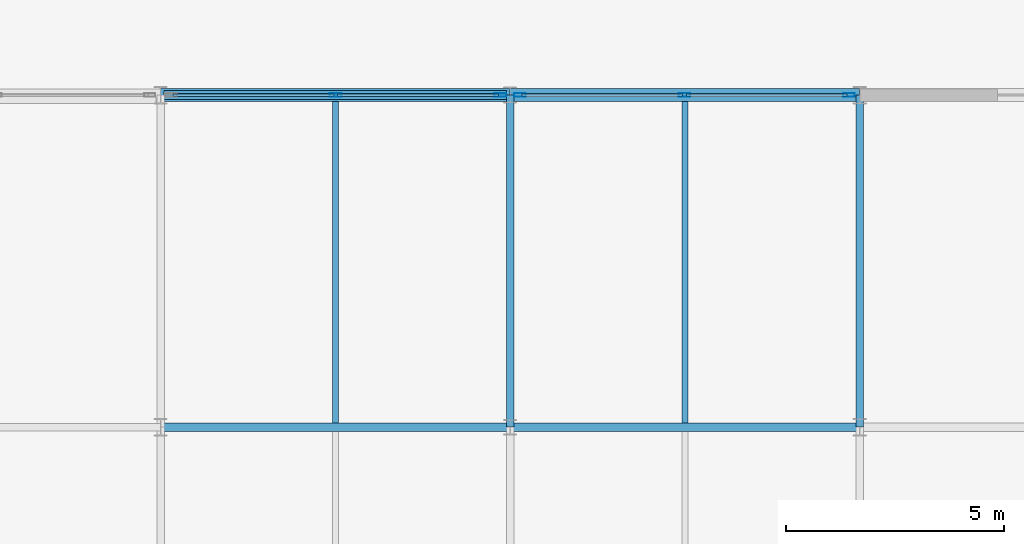
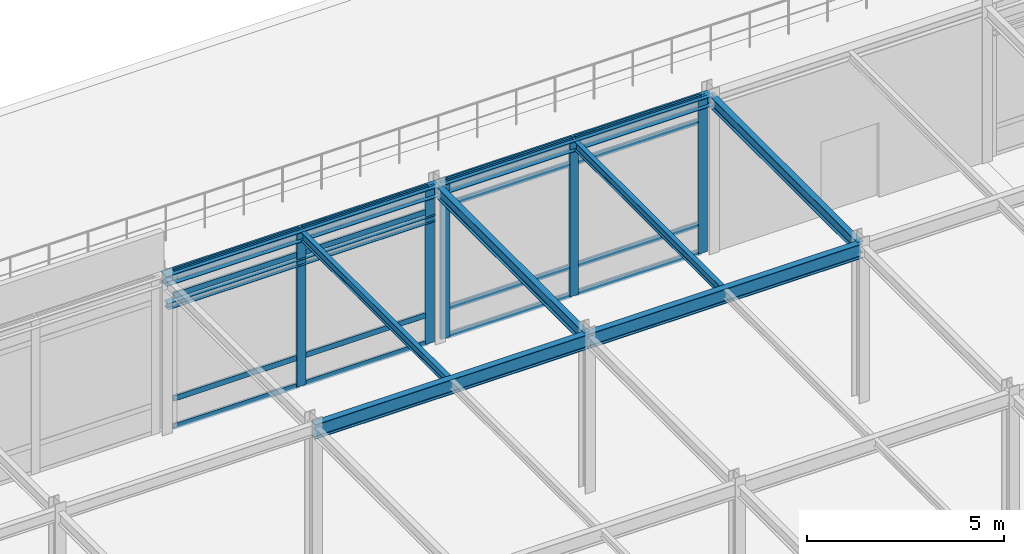
# One storey, part 39 of 79: 21 members, 9 beams, 2 elements without a shape of their own.
"""IFC4 building model written with IfcOpenShell, lengths in metres."""

from ifc_helpers import new_model, si_unit, direction, frame, origin, origin_2d, place, context, subcontext, project, spatial, hollow_rectangle, i_section, extrude, material, layer, layer_set, material_profile, profile_set, type_object, element, aggregate, save


model = new_model("IFC4")

# Units and contexts
model_context = context("Model", 3, precision=1e-05, world=origin(), true_north=direction((0.0, 1.0)))
body_context = subcontext(model_context, "Body", "Model", "MODEL_VIEW")
ifc_project = project(units=[si_unit("LENGTHUNIT", "METRE"), si_unit("AREAUNIT", "SQUARE_METRE"), si_unit("VOLUMEUNIT", "CUBIC_METRE"), si_unit("PLANEANGLEUNIT", "RADIAN"), si_unit("MASSUNIT", "GRAM", prefix="KILO")], contexts=[model_context])

# Site, building, storey
site_placement = place(None, origin())
site = spatial("IfcSite", under=ifc_project, at=site_placement, CompositionType="ELEMENT")
building_placement = place(site_placement, origin())
building = spatial("IfcBuilding", under=site, at=building_placement, Name="Shalkamar Park Central Library", CompositionType="ELEMENT")
storey_placement = place(building_placement, frame((0.0, 0.0, 10.5)))
storey = spatial("IfcBuildingStorey", under=building, at=storey_placement, Name="L03", CompositionType="ELEMENT", Elevation=10.5)

# Beams
ifc_material_1 = material(Name="Steel S355", Category="steel")
ifc_material_profile_1 = material_profile(ifc_material_1, i_section(OverallWidth=0.135009765625, OverallDepth=0.27001953125, WebThickness=0.006591796875, FlangeThickness=0.01025390625, FilletRadius=0.014892578125, at=origin_2d()), Name="IPE 270")
ifc_profile_set_1 = profile_set([ifc_material_profile_1], Name="Steel S355")
beam_type_1 = type_object("IfcBeamType", Name="Composite Floor Joist IPE270", PredefinedType="JOIST", material=ifc_profile_set_1)
for number, where, z_axis, x_axis, name in (
    (1, (169.0, 316.093017578125, 4.705078125), (0.0, 1.0, 0.0), (-1.0, 0.0, 0.0), "Composite Joist 07/L-1 (L03)"),
    (2, (177.0, 316.093017578125, 4.705078125), (0.0, 1.0, 0.0), (-1.0, 0.0, 0.0), "Composite Joist 08/L-1 (L03)"),
):
    element("IfcBeam", number, at=place(storey_placement, frame(where, z_axis=z_axis, x_axis=x_axis)), inside=storey, type_object=beam_type_1, Name=name, PredefinedType="JOIST", context=body_context, shape_type="SweptSolid", body=[
        extrude(i_section(OverallWidth=0.135009765625, OverallDepth=0.27001953125, WebThickness=0.006591796875, FlangeThickness=0.01025390625, FilletRadius=0.014892578125, at=origin_2d()), origin(), (0.0, 0.0, 1.0), 7.35888671875),
    ])

# Curtain wall, members
ifc_material_2 = material(Name="Thermally broken aluminium and triple low-e curtain wall", Category="aluminium")
ifc_layer_1 = layer(ifc_material_2, 0.27001953125)
ifc_layer_set_1 = layer_set([ifc_layer_1], Name="UnitisedCurtainWall_42")
curtain_wall_type_1 = type_object("IfcCurtainWallType", Name="Unitised Curtain Wall 42", PredefinedType="USERDEFINED", material=ifc_layer_set_1)
curtain_wall_1_placement = place(storey_placement, origin())
curtain_wall_1 = element("IfcCurtainWall", 3, at=curtain_wall_1_placement, inside=storey, type_object=curtain_wall_type_1, Name="Unitised Curtain Wall CW-L03-049", ObjectType="UNITISED CURTAIN WALL", PredefinedType="USERDEFINED")
ifc_material_3 = material(Name="Aluminium 6060-T66", Category="aluminium")
ifc_material_profile_2 = material_profile(ifc_material_3, hollow_rectangle(XDim=0.080078125, YDim=0.27001953125, WallThickness=0.0048828125, InnerFilletRadius=0.0048828125, OuterFilletRadius=0.007568359375, at=origin_2d()), Name="ALU 80x270x5")
ifc_profile_set_2 = profile_set([ifc_material_profile_2], Name="Aluminium 6060-T66")
member_type_1 = type_object("IfcMemberType", Name="Curtain Wall Mullion ALU80x270", PredefinedType="MULLION", material=ifc_profile_set_2)
member_1_placement = place(storey_placement, frame((169.010009765625, 323.60009765625, 0.0), z_axis=(0.0, 0.0, 1.0), x_axis=(0.0, 1.0, 0.0)))
member_1 = element("IfcMember", 4, at=member_1_placement, type_object=member_type_1, Name="CW-42 mullion 2", PredefinedType="MULLION", context=body_context, shape_type="SweptSolid", body=[
    extrude(hollow_rectangle(XDim=0.080078125, YDim=0.27001953125, WallThickness=0.0048828125, InnerFilletRadius=0.0048828125, OuterFilletRadius=0.007568359375, at=origin_2d()), origin(), (0.0, 0.0, 1.0), 4.840087890625),
])
member_2_placement = place(storey_placement, frame((172.77587890625, 323.60009765625, 0.0), z_axis=(0.0, 0.0, 1.0), x_axis=(0.0, 1.0, 0.0)))
member_2 = element("IfcMember", 5, at=member_2_placement, type_object=member_type_1, Name="CW-42 mullion 3", PredefinedType="MULLION", context=body_context, shape_type="SweptSolid", body=[
    extrude(hollow_rectangle(XDim=0.080078125, YDim=0.27001953125, WallThickness=0.0048828125, InnerFilletRadius=0.0048828125, OuterFilletRadius=0.007568359375, at=origin_2d()), origin(), (0.0, 0.0, 1.0), 4.840087890625),
])

ifc_layer_2 = layer(ifc_material_2, 0.264892578125)
ifc_layer_set_2 = layer_set([ifc_layer_2], Name="UnitisedCurtainWall_40")
curtain_wall_type_2 = type_object("IfcCurtainWallType", Name="Unitised Curtain Wall 40", PredefinedType="USERDEFINED", material=ifc_layer_set_2)
curtain_wall_2_placement = place(storey_placement, origin())
curtain_wall_2 = element("IfcCurtainWall", 6, at=curtain_wall_2_placement, inside=storey, type_object=curtain_wall_type_2, Name="Unitised Curtain Wall CW-L03-050", ObjectType="UNITISED CURTAIN WALL", PredefinedType="USERDEFINED")
ifc_material_profile_3 = material_profile(ifc_material_3, hollow_rectangle(XDim=0.0849609375, YDim=0.264892578125, WallThickness=0.0048828125, InnerFilletRadius=0.0048828125, OuterFilletRadius=0.007568359375, at=origin_2d()), Name="ALU 85x265x5")
ifc_profile_set_3 = profile_set([ifc_material_profile_3], Name="Aluminium 6060-T66")
member_type_2 = type_object("IfcMemberType", Name="Curtain Wall Mullion ALU85x265", PredefinedType="MULLION", material=ifc_profile_set_3)
member_3_placement = place(storey_placement, frame((173.2265625, 323.60009765625, 0.0), z_axis=(0.0, 0.0, 1.0), x_axis=(0.0, 1.0, 0.0)))
member_3 = element("IfcMember", 7, at=member_3_placement, type_object=member_type_2, Name="CW-40 mullion 1", PredefinedType="MULLION", context=body_context, shape_type="SweptSolid", body=[
    extrude(hollow_rectangle(XDim=0.0849609375, YDim=0.264892578125, WallThickness=0.0048828125, InnerFilletRadius=0.0048828125, OuterFilletRadius=0.007568359375, at=origin_2d()), origin(), (0.0, 0.0, 1.0), 4.840087890625),
])
member_4_placement = place(storey_placement, frame((176.989990234375, 323.60009765625, 0.0), z_axis=(0.0, 0.0, 1.0), x_axis=(0.0, 1.0, 0.0)))
member_4 = element("IfcMember", 8, at=member_4_placement, type_object=member_type_2, Name="CW-40 mullion 2", PredefinedType="MULLION", context=body_context, shape_type="SweptSolid", body=[
    extrude(hollow_rectangle(XDim=0.0849609375, YDim=0.264892578125, WallThickness=0.0048828125, InnerFilletRadius=0.0048828125, OuterFilletRadius=0.007568359375, at=origin_2d()), origin(), (0.0, 0.0, 1.0), 4.840087890625),
])
member_5_placement = place(storey_placement, frame((180.75341796875, 323.60009765625, 0.0), z_axis=(0.0, 0.0, 1.0), x_axis=(0.0, 1.0, 0.0)))
member_5 = element("IfcMember", 9, at=member_5_placement, type_object=member_type_2, Name="CW-40 mullion 3", PredefinedType="MULLION", context=body_context, shape_type="SweptSolid", body=[
    extrude(hollow_rectangle(XDim=0.0849609375, YDim=0.264892578125, WallThickness=0.0048828125, InnerFilletRadius=0.0048828125, OuterFilletRadius=0.007568359375, at=origin_2d()), origin(), (0.0, 0.0, 1.0), 4.840087890625),
])

# Member
ifc_material_profile_4 = material_profile(ifc_material_3, hollow_rectangle(XDim=0.06494140625, YDim=0.175048828125, WallThickness=0.00439453125, InnerFilletRadius=0.00439453125, OuterFilletRadius=0.0068359375, at=origin_2d()), Name="ALU 65x175x4.5")
ifc_profile_set_4 = profile_set([ifc_material_profile_4], Name="Aluminium 6060-T66")
member_type_3 = type_object("IfcMemberType", Name="Curtain Wall Transom ALU65x175", PredefinedType="USERDEFINED", material=ifc_profile_set_4)
member_6_placement = place(storey_placement, frame((165.283935546875, 323.60009765625, 0.032470703125), z_axis=(1.0, 0.0, 0.0), x_axis=(0.0, 1.0, 0.0)))
member_6 = element("IfcMember", 10, at=member_6_placement, type_object=member_type_3, Name="CW-42 transom 1.1", ObjectType="TRANSOM", PredefinedType="USERDEFINED", context=body_context, shape_type="SweptSolid", body=[
    extrude(hollow_rectangle(XDim=0.06494140625, YDim=0.175048828125, WallThickness=0.00439453125, InnerFilletRadius=0.00439453125, OuterFilletRadius=0.0068359375, at=origin_2d()), origin(), (0.0, 0.0, 1.0), 3.68603515625),
])

member_7_placement = place(storey_placement, frame((165.283935546875, 323.60009765625, 0.89990234375), z_axis=(1.0, 0.0, 0.0), x_axis=(0.0, 1.0, 0.0)))
member_7 = element("IfcMember", 11, at=member_7_placement, type_object=member_type_3, Name="CW-42 transom 1.2", ObjectType="TRANSOM", PredefinedType="USERDEFINED", context=body_context, shape_type="SweptSolid", body=[
    extrude(hollow_rectangle(XDim=0.06494140625, YDim=0.175048828125, WallThickness=0.00439453125, InnerFilletRadius=0.00439453125, OuterFilletRadius=0.0068359375, at=origin_2d()), origin(), (0.0, 0.0, 1.0), 3.68603515625),
])

member_8_placement = place(storey_placement, frame((165.283935546875, 323.60009765625, 4.090087890625), z_axis=(1.0, 0.0, 0.0), x_axis=(0.0, 1.0, 0.0)))
member_8 = element("IfcMember", 12, at=member_8_placement, type_object=member_type_3, Name="CW-42 transom 1.3", ObjectType="TRANSOM", PredefinedType="USERDEFINED", context=body_context, shape_type="SweptSolid", body=[
    extrude(hollow_rectangle(XDim=0.06494140625, YDim=0.175048828125, WallThickness=0.00439453125, InnerFilletRadius=0.00439453125, OuterFilletRadius=0.0068359375, at=origin_2d()), origin(), (0.0, 0.0, 1.0), 3.68603515625),
])

member_9_placement = place(storey_placement, frame((165.283935546875, 323.60009765625, 4.8076171875), z_axis=(1.0, 0.0, 0.0), x_axis=(0.0, 1.0, 0.0)))
member_9 = element("IfcMember", 13, at=member_9_placement, type_object=member_type_3, Name="CW-42 transom 1.4", ObjectType="TRANSOM", PredefinedType="USERDEFINED", context=body_context, shape_type="SweptSolid", body=[
    extrude(hollow_rectangle(XDim=0.06494140625, YDim=0.175048828125, WallThickness=0.00439453125, InnerFilletRadius=0.00439453125, OuterFilletRadius=0.0068359375, at=origin_2d()), origin(), (0.0, 0.0, 1.0), 3.68603515625),
])

member_10_placement = place(storey_placement, frame((169.050048828125, 323.60009765625, 0.032470703125), z_axis=(1.0, 0.0, 0.0), x_axis=(0.0, 1.0, 0.0)))
member_10 = element("IfcMember", 14, at=member_10_placement, type_object=member_type_3, Name="CW-42 transom 2.1", ObjectType="TRANSOM", PredefinedType="USERDEFINED", context=body_context, shape_type="SweptSolid", body=[
    extrude(hollow_rectangle(XDim=0.06494140625, YDim=0.175048828125, WallThickness=0.00439453125, InnerFilletRadius=0.00439453125, OuterFilletRadius=0.0068359375, at=origin_2d()), origin(), (0.0, 0.0, 1.0), 3.68603515625),
])

member_11_placement = place(storey_placement, frame((169.050048828125, 323.60009765625, 0.89990234375), z_axis=(1.0, 0.0, 0.0), x_axis=(0.0, 1.0, 0.0)))
member_11 = element("IfcMember", 15, at=member_11_placement, type_object=member_type_3, Name="CW-42 transom 2.2", ObjectType="TRANSOM", PredefinedType="USERDEFINED", context=body_context, shape_type="SweptSolid", body=[
    extrude(hollow_rectangle(XDim=0.06494140625, YDim=0.175048828125, WallThickness=0.00439453125, InnerFilletRadius=0.00439453125, OuterFilletRadius=0.0068359375, at=origin_2d()), origin(), (0.0, 0.0, 1.0), 3.68603515625),
])

member_12_placement = place(storey_placement, frame((169.050048828125, 323.60009765625, 4.090087890625), z_axis=(1.0, 0.0, 0.0), x_axis=(0.0, 1.0, 0.0)))
member_12 = element("IfcMember", 16, at=member_12_placement, type_object=member_type_3, Name="CW-42 transom 2.3", ObjectType="TRANSOM", PredefinedType="USERDEFINED", context=body_context, shape_type="SweptSolid", body=[
    extrude(hollow_rectangle(XDim=0.06494140625, YDim=0.175048828125, WallThickness=0.00439453125, InnerFilletRadius=0.00439453125, OuterFilletRadius=0.0068359375, at=origin_2d()), origin(), (0.0, 0.0, 1.0), 3.68603515625),
])

member_13_placement = place(storey_placement, frame((169.050048828125, 323.60009765625, 4.8076171875), z_axis=(1.0, 0.0, 0.0), x_axis=(0.0, 1.0, 0.0)))
member_13 = element("IfcMember", 17, at=member_13_placement, type_object=member_type_3, Name="CW-42 transom 2.4", ObjectType="TRANSOM", PredefinedType="USERDEFINED", context=body_context, shape_type="SweptSolid", body=[
    extrude(hollow_rectangle(XDim=0.06494140625, YDim=0.175048828125, WallThickness=0.00439453125, InnerFilletRadius=0.00439453125, OuterFilletRadius=0.0068359375, at=origin_2d()), origin(), (0.0, 0.0, 1.0), 3.68603515625),
])

aggregate(curtain_wall_1, [member_1, member_2, member_6, member_7, member_8, member_9, member_10, member_11, member_12, member_13])

ifc_material_profile_5 = material_profile(ifc_material_3, hollow_rectangle(XDim=0.070068359375, YDim=0.179931640625, WallThickness=0.00439453125, InnerFilletRadius=0.00439453125, OuterFilletRadius=0.0068359375, at=origin_2d()), Name="ALU 70x180x4.5")
ifc_profile_set_5 = profile_set([ifc_material_profile_5], Name="Aluminium 6060-T66")
member_type_4 = type_object("IfcMemberType", Name="Curtain Wall Transom ALU70x180", PredefinedType="USERDEFINED", material=ifc_profile_set_5)
member_14_placement = place(storey_placement, frame((173.26904296875, 323.60009765625, 0.034912109375), z_axis=(1.0, 0.0, 0.0), x_axis=(0.0, 1.0, 0.0)))
member_14 = element("IfcMember", 18, at=member_14_placement, type_object=member_type_4, Name="CW-40 transom 1.1", ObjectType="TRANSOM", PredefinedType="USERDEFINED", context=body_context, shape_type="SweptSolid", body=[
    extrude(hollow_rectangle(XDim=0.070068359375, YDim=0.179931640625, WallThickness=0.00439453125, InnerFilletRadius=0.00439453125, OuterFilletRadius=0.0068359375, at=origin_2d()), origin(), (0.0, 0.0, 1.0), 3.678466796875),
])

member_15_placement = place(storey_placement, frame((173.26904296875, 323.60009765625, 0.89990234375), z_axis=(1.0, 0.0, 0.0), x_axis=(0.0, 1.0, 0.0)))
member_15 = element("IfcMember", 19, at=member_15_placement, type_object=member_type_4, Name="CW-40 transom 1.2", ObjectType="TRANSOM", PredefinedType="USERDEFINED", context=body_context, shape_type="SweptSolid", body=[
    extrude(hollow_rectangle(XDim=0.070068359375, YDim=0.179931640625, WallThickness=0.00439453125, InnerFilletRadius=0.00439453125, OuterFilletRadius=0.0068359375, at=origin_2d()), origin(), (0.0, 0.0, 1.0), 3.678466796875),
])

member_16_placement = place(storey_placement, frame((173.26904296875, 323.60009765625, 4.090087890625), z_axis=(1.0, 0.0, 0.0), x_axis=(0.0, 1.0, 0.0)))
member_16 = element("IfcMember", 20, at=member_16_placement, type_object=member_type_4, Name="CW-40 transom 1.3", ObjectType="TRANSOM", PredefinedType="USERDEFINED", context=body_context, shape_type="SweptSolid", body=[
    extrude(hollow_rectangle(XDim=0.070068359375, YDim=0.179931640625, WallThickness=0.00439453125, InnerFilletRadius=0.00439453125, OuterFilletRadius=0.0068359375, at=origin_2d()), origin(), (0.0, 0.0, 1.0), 3.678466796875),
])

member_17_placement = place(storey_placement, frame((173.26904296875, 323.60009765625, 4.804931640625), z_axis=(1.0, 0.0, 0.0), x_axis=(0.0, 1.0, 0.0)))
member_17 = element("IfcMember", 21, at=member_17_placement, type_object=member_type_4, Name="CW-40 transom 1.4", ObjectType="TRANSOM", PredefinedType="USERDEFINED", context=body_context, shape_type="SweptSolid", body=[
    extrude(hollow_rectangle(XDim=0.070068359375, YDim=0.179931640625, WallThickness=0.00439453125, InnerFilletRadius=0.00439453125, OuterFilletRadius=0.0068359375, at=origin_2d()), origin(), (0.0, 0.0, 1.0), 3.678466796875),
])

member_18_placement = place(storey_placement, frame((177.032470703125, 323.60009765625, 0.034912109375), z_axis=(1.0, 0.0, 0.0), x_axis=(0.0, 1.0, 0.0)))
member_18 = element("IfcMember", 22, at=member_18_placement, type_object=member_type_4, Name="CW-40 transom 2.1", ObjectType="TRANSOM", PredefinedType="USERDEFINED", context=body_context, shape_type="SweptSolid", body=[
    extrude(hollow_rectangle(XDim=0.070068359375, YDim=0.179931640625, WallThickness=0.00439453125, InnerFilletRadius=0.00439453125, OuterFilletRadius=0.0068359375, at=origin_2d()), origin(), (0.0, 0.0, 1.0), 3.678466796875),
])

member_19_placement = place(storey_placement, frame((177.032470703125, 323.60009765625, 0.89990234375), z_axis=(1.0, 0.0, 0.0), x_axis=(0.0, 1.0, 0.0)))
member_19 = element("IfcMember", 23, at=member_19_placement, type_object=member_type_4, Name="CW-40 transom 2.2", ObjectType="TRANSOM", PredefinedType="USERDEFINED", context=body_context, shape_type="SweptSolid", body=[
    extrude(hollow_rectangle(XDim=0.070068359375, YDim=0.179931640625, WallThickness=0.00439453125, InnerFilletRadius=0.00439453125, OuterFilletRadius=0.0068359375, at=origin_2d()), origin(), (0.0, 0.0, 1.0), 3.678466796875),
])

member_20_placement = place(storey_placement, frame((177.032470703125, 323.60009765625, 4.090087890625), z_axis=(1.0, 0.0, 0.0), x_axis=(0.0, 1.0, 0.0)))
member_20 = element("IfcMember", 24, at=member_20_placement, type_object=member_type_4, Name="CW-40 transom 2.3", ObjectType="TRANSOM", PredefinedType="USERDEFINED", context=body_context, shape_type="SweptSolid", body=[
    extrude(hollow_rectangle(XDim=0.070068359375, YDim=0.179931640625, WallThickness=0.00439453125, InnerFilletRadius=0.00439453125, OuterFilletRadius=0.0068359375, at=origin_2d()), origin(), (0.0, 0.0, 1.0), 3.678466796875),
])

member_21_placement = place(storey_placement, frame((177.032470703125, 323.60009765625, 4.804931640625), z_axis=(1.0, 0.0, 0.0), x_axis=(0.0, 1.0, 0.0)))
member_21 = element("IfcMember", 25, at=member_21_placement, type_object=member_type_4, Name="CW-40 transom 2.4", ObjectType="TRANSOM", PredefinedType="USERDEFINED", context=body_context, shape_type="SweptSolid", body=[
    extrude(hollow_rectangle(XDim=0.070068359375, YDim=0.179931640625, WallThickness=0.00439453125, InnerFilletRadius=0.00439453125, OuterFilletRadius=0.0068359375, at=origin_2d()), origin(), (0.0, 0.0, 1.0), 3.678466796875),
])

aggregate(curtain_wall_2, [member_3, member_4, member_5, member_14, member_15, member_16, member_17, member_18, member_19, member_20, member_21])

# Beams
ifc_material_profile_6 = material_profile(ifc_material_1, i_section(OverallWidth=0.199951171875, OverallDepth=0.18994140625, WebThickness=0.006591796875, FlangeThickness=0.010009765625, FilletRadius=0.01806640625, at=origin_2d()), Name="HEA 200")
ifc_profile_set_6 = profile_set([ifc_material_profile_6], Name="Steel S355")
beam_type_2 = type_object("IfcBeamType", Name="Opening Lintel Beam HEA200", PredefinedType="LINTEL", material=ifc_profile_set_6)
beam_placement = place(storey_placement, frame((165.080078125, 323.60009765625, 3.85009765625), z_axis=(1.0, 0.0, 0.0), x_axis=(0.0, 1.0, 0.0)))
element("IfcBeam", 26, at=beam_placement, inside=storey, type_object=beam_type_2, Name="Opening Lintel L03-31", PredefinedType="LINTEL", context=body_context, shape_type="SweptSolid", body=[
    extrude(i_section(OverallWidth=0.199951171875, OverallDepth=0.18994140625, WebThickness=0.006591796875, FlangeThickness=0.010009765625, FilletRadius=0.01806640625, at=origin_2d()), origin(), (0.0, 0.0, 1.0), 7.83984375),
])
ifc_material_profile_7 = material_profile(ifc_material_1, i_section(OverallWidth=0.300048828125, OverallDepth=0.31005859375, WebThickness=0.009033203125, FlangeThickness=0.015380859375, FilletRadius=0.027099609375, at=origin_2d()), Name="HEA 320")
ifc_profile_set_7 = profile_set([ifc_material_profile_7], Name="Steel S355")
beam_type_3 = type_object("IfcBeamType", Name="Perimeter Spandrel Beam HEA320", PredefinedType="SPANDREL", material=ifc_profile_set_7)
for number, where, z_axis, x_axis, name in (
    (27, (165.0, 323.60009765625, 4.68505859375), (1.0, 0.0, 0.0), (0.0, 1.0, 0.0), "Beam M:07-08 (L03)"),
    (28, (173.0, 323.60009765625, 4.68505859375), (1.0, 0.0, 0.0), (0.0, 1.0, 0.0), "Beam M:08-09 (L03)"),
):
    element("IfcBeam", number, at=place(storey_placement, frame(where, z_axis=z_axis, x_axis=x_axis)), inside=storey, type_object=beam_type_3, Name=name, PredefinedType="SPANDREL", context=body_context, shape_type="SweptSolid", body=[
        extrude(i_section(OverallWidth=0.300048828125, OverallDepth=0.31005859375, WebThickness=0.009033203125, FlangeThickness=0.015380859375, FilletRadius=0.027099609375, at=origin_2d()), origin(), (0.0, 0.0, 1.0), 8.0),
    ])
ifc_material_profile_8 = material_profile(ifc_material_1, i_section(OverallWidth=0.169921875, OverallDepth=0.360107421875, WebThickness=0.008056640625, FlangeThickness=0.0126953125, FilletRadius=0.01806640625, at=origin_2d()), Name="IPE 360")
ifc_profile_set_8 = profile_set([ifc_material_profile_8], Name="Steel S355")
beam_type_4 = type_object("IfcBeamType", Name="Primary Girder IPE360", PredefinedType="BEAM", material=ifc_profile_set_8)
for number, where, z_axis, x_axis, name in (
    (29, (173.0, 316.0, 4.659912109375), (0.0, 1.0, 0.0), (-1.0, 0.0, 0.0), "Beam 08:L-M (L03)"),
    (30, (181.0, 316.0, 4.659912109375), (0.0, 1.0, 0.0), (-1.0, 0.0, 0.0), "Beam 09:L-M (L03)"),
):
    element("IfcBeam", number, at=place(storey_placement, frame(where, z_axis=z_axis, x_axis=x_axis)), inside=storey, type_object=beam_type_4, Name=name, PredefinedType="BEAM", context=body_context, shape_type="SweptSolid", body=[
        extrude(i_section(OverallWidth=0.169921875, OverallDepth=0.360107421875, WebThickness=0.008056640625, FlangeThickness=0.0126953125, FilletRadius=0.01806640625, at=origin_2d()), origin(), (0.0, 0.0, 1.0), 7.60009765625),
    ])
ifc_material_profile_9 = material_profile(ifc_material_1, i_section(OverallWidth=0.18994140625, OverallDepth=0.449951171875, WebThickness=0.009521484375, FlangeThickness=0.0146484375, FilletRadius=0.02099609375, at=origin_2d()), Name="IPE 450")
ifc_profile_set_9 = profile_set([ifc_material_profile_9], Name="Steel S355")
beam_type_5 = type_object("IfcBeamType", Name="Primary Girder IPE450", PredefinedType="BEAM", material=ifc_profile_set_9)
for number, where, z_axis, x_axis, name in (
    (31, (165.0, 316.0, 4.614990234375), (1.0, 0.0, 0.0), (0.0, 1.0, 0.0), "Beam L:07-08 (L03)"),
    (32, (173.0, 316.0, 4.614990234375), (1.0, 0.0, 0.0), (0.0, 1.0, 0.0), "Beam L:08-09 (L03)"),
):
    element("IfcBeam", number, at=place(storey_placement, frame(where, z_axis=z_axis, x_axis=x_axis)), inside=storey, type_object=beam_type_5, Name=name, PredefinedType="BEAM", context=body_context, shape_type="SweptSolid", body=[
        extrude(i_section(OverallWidth=0.18994140625, OverallDepth=0.449951171875, WebThickness=0.009521484375, FlangeThickness=0.0146484375, FilletRadius=0.02099609375, at=origin_2d()), origin(), (0.0, 0.0, 1.0), 8.0),
    ])

save(model, "model.ifc")
